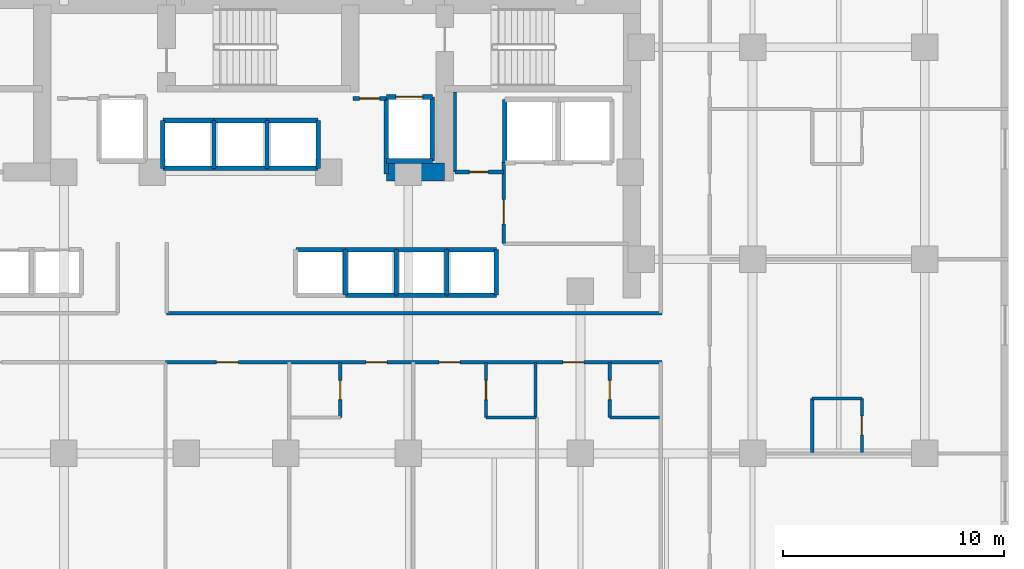
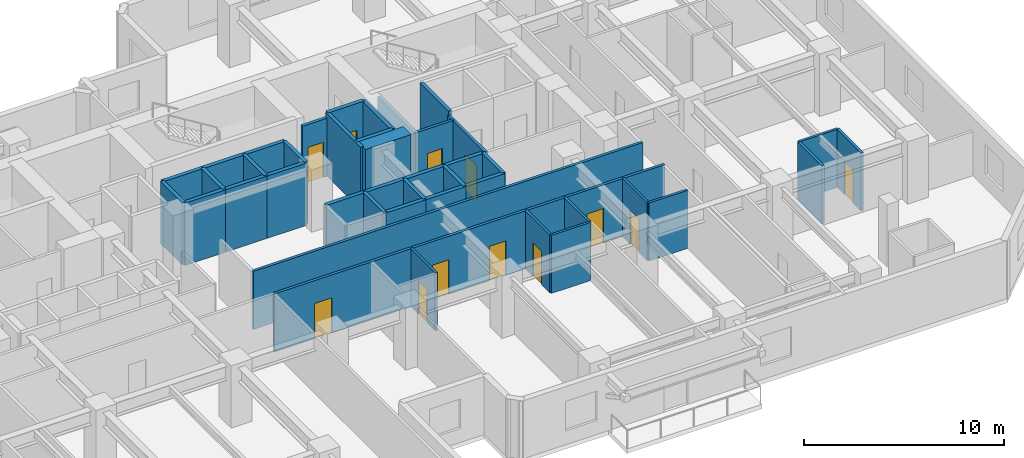
# One storey, part 8 of 12: 42 walls, 12 doors, 12 openings.
"""IFC4 building model written with IfcOpenShell, lengths in metres."""

from ifc_helpers import new_model, si_unit, direction, frame, frame_2d, origin, place, context, subcontext, project, spatial, rectangle, extrude, material, layer, layer_set, type_object, element, fill, save


model = new_model("IFC4")

# Units and contexts
model_context = context("Model", 3, precision=1e-05, world=origin(), true_north=direction((0.0, 1.0)))
body_context = subcontext(model_context, "Body", "Model", "MODEL_VIEW")
ifc_project = project(units=[si_unit("LENGTHUNIT", "METRE"), si_unit("AREAUNIT", "SQUARE_METRE"), si_unit("VOLUMEUNIT", "CUBIC_METRE"), si_unit("PLANEANGLEUNIT", "RADIAN"), si_unit("MASSUNIT", "GRAM", prefix="KILO")], contexts=[model_context])

# Site, building, storey
site_placement = place(None, origin())
site = spatial("IfcSite", under=ifc_project, at=site_placement, CompositionType="ELEMENT")
building_placement = place(site_placement, origin())
building = spatial("IfcBuilding", under=site, at=building_placement, Name="Kestravale Grand Hotel", CompositionType="ELEMENT")
storey_placement = place(building_placement, frame((0.0, 0.0, 118.39990234375)))
storey = spatial("IfcBuildingStorey", under=building, at=storey_placement, Name="L29", CompositionType="ELEMENT", Elevation=118.39990234375)

# Wall
ifc_material_1 = material(Name="Concrete f'c 60 MPa", Category="concrete")
ifc_layer_1 = layer(ifc_material_1, 0.800048828125)
ifc_layer_set_1 = layer_set([ifc_layer_1], Name="EW-CORE-800")
wall_type_1 = type_object("IfcWallType", Name="EW-CORE-800", PredefinedType="SHEAR", material=ifc_layer_set_1)
wall_1_placement = place(storey_placement, frame((45.81005859375, 32.75, 0.0), z_axis=(0.0, 0.0, 1.0), x_axis=(1.0, 0.0, 0.0)))
element("IfcWall", 1, at=wall_1_placement, inside=storey, type_object=wall_type_1, Name="L29 core shear wall S2", PredefinedType="SHEAR", context=body_context, shape_type="SweptSolid", body=[
    extrude(rectangle(XDim=2.639892578125, YDim=0.800048828125, at=frame_2d((1.31982421875, 0.0))), origin(), (0.0, 0.0, 1.0), 3.800048828125),
])

# Wall, opening, door
ifc_material_2 = material(Name="Acoustic fire-rated gypsum board partition", Category="other")
ifc_layer_2 = layer(ifc_material_2, 0.159912109375)
ifc_layer_set_2 = layer_set([ifc_layer_2], Name="IW-CORR-160")
wall_type_2 = type_object("IfcWallType", Name="IW-CORR-160", PredefinedType="PARTITIONING", material=ifc_layer_set_2)
wall_2_placement = place(storey_placement, frame((51.1201171875, 29.5, 0.0), z_axis=(0.0, 0.0, 1.0), x_axis=(0.0, 1.0, 0.0)))
wall_2 = element("IfcWall", 2, at=wall_2_placement, inside=storey, type_object=wall_type_2, Name="W-L29-SVCLOB-W", PredefinedType="PARTITIONING", context=body_context, shape_type="SweptSolid", body=[
    extrude(rectangle(XDim=3.699951171875, YDim=0.159912109375, at=frame_2d((1.85009765625, 0.0))), origin(), (0.0, 0.0, 1.0), 3.5400390625),
])
opening_1_placement = place(wall_2_placement, frame((0.89990234375, 0.0, 0.0)))
opening_1 = element("IfcOpeningElement", 3, at=opening_1_placement, cuts=wall_2, Name="Opening D-CORR-1100", PredefinedType="OPENING", context=body_context, shape_type="SweptSolid", body=[
    extrude(rectangle(XDim=1.10009765625, YDim=2.14990234375, at=frame_2d((0.550048828125, 1.074951171875))), frame((0.0, 0.08984375, 0.0), z_axis=(0.0, -1.0, 0.0), x_axis=(1.0, 0.0, 0.0)), (0.0, 0.0, 1.0), 0.179931640625),
])
ifc_material_3 = material(Name="Single-leaf service vestibule fire door", Category="steel")
door_type_1 = type_object("IfcDoorType", Name="D-CORR-1100", OperationType="NOTDEFINED", PredefinedType="DOOR", material=ifc_material_3)
door_1_placement = place(opening_1_placement, origin())
door_1 = element("IfcDoor", 4, at=door_1_placement, inside=storey, type_object=door_type_1, Name="L29 service lift lobby door", OperationType="SINGLE_SWING_LEFT", OverallHeight=2.14990234375, OverallWidth=1.10009765625, PredefinedType="DOOR", context=body_context, shape_type="SweptSolid", body=[
    extrude(rectangle(XDim=1.10009765625, YDim=2.14990234375, at=frame_2d((0.550048828125, 1.074951171875))), frame((0.0, 0.02490234375, 0.0), z_axis=(0.0, -1.0, 0.0), x_axis=(1.0, 0.0, 0.0)), (0.0, 0.0, 1.0), 0.050048828125),
])
fill(opening_1, door_1)

wall_3_placement = place(storey_placement, frame((48.919921875, 32.75, 0.0), z_axis=(0.0, 0.0, 1.0), x_axis=(1.0, 0.0, 0.0)))
wall_3 = element("IfcWall", 5, at=wall_3_placement, inside=storey, type_object=wall_type_2, Name="W-L29-CES", PredefinedType="PARTITIONING", context=body_context, shape_type="SweptSolid", body=[
    extrude(rectangle(XDim=2.2001953125, YDim=0.159912109375, at=frame_2d((1.10009765625, 0.0))), origin(), (0.0, 0.0, 1.0), 3.5400390625),
])
opening_2_placement = place(wall_3_placement, frame((0.64990234375, 0.0, 0.0)))
opening_2 = element("IfcOpeningElement", 6, at=opening_2_placement, cuts=wall_3, Name="Opening D-SH-860", PredefinedType="OPENING", context=body_context, shape_type="SweptSolid", body=[
    extrude(rectangle(XDim=0.860107421875, YDim=2.050048828125, at=frame_2d((0.43017578125, 1.02490234375))), frame((0.0, 0.08984375, 0.0), z_axis=(0.0, -1.0, 0.0), x_axis=(1.0, 0.0, 0.0)), (0.0, 0.0, 1.0), 0.179931640625),
])
ifc_material_4 = material(Name="Galvanised 90-minute riser fire door", Category="steel")
door_type_2 = type_object("IfcDoorType", Name="D-SH-860", OperationType="NOTDEFINED", PredefinedType="DOOR", material=ifc_material_4)
door_2_placement = place(opening_2_placement, origin())
door_2 = element("IfcDoor", 7, at=door_2_placement, inside=storey, type_object=door_type_2, Name="L29 CSTO1 door", OperationType="SINGLE_SWING_RIGHT", OverallHeight=2.050048828125, OverallWidth=0.860107421875, PredefinedType="DOOR", context=body_context, shape_type="SweptSolid", body=[
    extrude(rectangle(XDim=0.860107421875, YDim=2.050048828125, at=frame_2d((0.43017578125, 1.02490234375))), frame((0.0, 0.02490234375, 0.0), z_axis=(0.0, -1.0, 0.0), x_axis=(1.0, 0.0, 0.0)), (0.0, 0.0, 1.0), 0.050048828125),
])
fill(opening_2, door_2)

# Wall
wall_4_placement = place(storey_placement, frame((35.85009765625, 26.360107421875, 0.0), z_axis=(0.0, 0.0, 1.0), x_axis=(1.0, 0.0, 0.0)))
element("IfcWall", 8, at=wall_4_placement, inside=storey, type_object=wall_type_2, Name="W-L29-CE-N", PredefinedType="PARTITIONING", context=body_context, shape_type="SweptSolid", body=[
    extrude(rectangle(XDim=22.449951171875, YDim=0.159912109375, at=frame_2d((11.22509765625, 0.0))), origin(), (0.0, 0.0, 1.0), 3.5400390625),
])

# Wall, openings, doors
wall_5_placement = place(storey_placement, frame((35.800048828125, 24.139892578125, 0.0), z_axis=(0.0, 0.0, 1.0), x_axis=(1.0, 0.0, 0.0)))
wall_5 = element("IfcWall", 9, at=wall_5_placement, inside=storey, type_object=wall_type_2, Name="W-L29-CE-S", PredefinedType="PARTITIONING", context=body_context, shape_type="SweptSolid", body=[
    extrude(rectangle(XDim=22.5, YDim=0.159912109375, at=frame_2d((11.25, 0.0))), origin(), (0.0, 0.0, 1.0), 3.5400390625),
])
opening_3_placement = place(wall_5_placement, frame((2.304931640625, 0.0, 0.0)))
opening_3 = element("IfcOpeningElement", 10, at=opening_3_placement, cuts=wall_5, Name="Opening D-GUEST-1000", PredefinedType="OPENING", context=body_context, shape_type="SweptSolid", body=[
    extrude(rectangle(XDim=1.0, YDim=2.14990234375, at=frame_2d((0.5, 1.074951171875))), frame((0.0, 0.08984375, 0.0), z_axis=(0.0, -1.0, 0.0), x_axis=(1.0, 0.0, 0.0)), (0.0, 0.0, 1.0), 0.179931640625),
])
opening_4_placement = place(wall_5_placement, frame((9.094970703125, 0.0, 0.0)))
opening_4 = element("IfcOpeningElement", 11, at=opening_4_placement, cuts=wall_5, Name="Opening D-GUEST-950", PredefinedType="OPENING", context=body_context, shape_type="SweptSolid", body=[
    extrude(rectangle(XDim=0.949951171875, YDim=2.10009765625, at=frame_2d((0.47509765625, 1.050048828125))), frame((0.0, 0.08984375, 0.0), z_axis=(0.0, -1.0, 0.0), x_axis=(1.0, 0.0, 0.0)), (0.0, 0.0, 1.0), 0.179931640625),
])
opening_5_placement = place(wall_5_placement, frame((12.39501953125, 0.0, 0.0)))
opening_5 = element("IfcOpeningElement", 12, at=opening_5_placement, cuts=wall_5, Name="Opening D-GUEST-950", PredefinedType="OPENING", context=body_context, shape_type="SweptSolid", body=[
    extrude(rectangle(XDim=0.949951171875, YDim=2.10009765625, at=frame_2d((0.47509765625, 1.050048828125))), frame((0.0, 0.08984375, 0.0), z_axis=(0.0, -1.0, 0.0), x_axis=(1.0, 0.0, 0.0)), (0.0, 0.0, 1.0), 0.179931640625),
])
opening_6_placement = place(wall_5_placement, frame((18.0048828125, 0.0, 0.0)))
opening_6 = element("IfcOpeningElement", 13, at=opening_6_placement, cuts=wall_5, Name="Opening D-GUEST-950", PredefinedType="OPENING", context=body_context, shape_type="SweptSolid", body=[
    extrude(rectangle(XDim=0.949951171875, YDim=2.10009765625, at=frame_2d((0.47509765625, 1.050048828125))), frame((0.0, 0.08984375, 0.0), z_axis=(0.0, -1.0, 0.0), x_axis=(1.0, 0.0, 0.0)), (0.0, 0.0, 1.0), 0.179931640625),
])
ifc_material_5 = material(Name="Accessible walnut veneer hotel entrance fire door", Category="wood")
door_type_3 = type_object("IfcDoorType", Name="D-GUEST-1000", OperationType="NOTDEFINED", PredefinedType="DOOR", material=ifc_material_5)
door_3_placement = place(opening_3_placement, origin())
door_3 = element("IfcDoor", 14, at=door_3_placement, inside=storey, type_object=door_type_3, Name="D-L29-AME", OperationType="SINGLE_SWING_RIGHT", OverallHeight=2.14990234375, OverallWidth=1.0, PredefinedType="DOOR", context=body_context, shape_type="SweptSolid", body=[
    extrude(rectangle(XDim=1.0, YDim=2.14990234375, at=frame_2d((0.5, 1.074951171875))), frame((0.0, 0.02490234375, 0.0), z_axis=(0.0, -1.0, 0.0), x_axis=(1.0, 0.0, 0.0)), (0.0, 0.0, 1.0), 0.050048828125),
])
fill(opening_3, door_3)
ifc_material_6 = material(Name="Walnut veneer hotel guestroom entrance fire door", Category="wood")
door_type_4 = type_object("IfcDoorType", Name="D-GUEST-950", OperationType="NOTDEFINED", PredefinedType="DOOR", material=ifc_material_6)
door_4_placement = place(opening_4_placement, origin())
door_4 = element("IfcDoor", 15, at=door_4_placement, inside=storey, type_object=door_type_4, Name="D-L29-U01-ENT", OperationType="SINGLE_SWING_RIGHT", OverallHeight=2.10009765625, OverallWidth=0.949951171875, PredefinedType="DOOR", context=body_context, shape_type="SweptSolid", body=[
    extrude(rectangle(XDim=0.949951171875, YDim=2.10009765625, at=frame_2d((0.47509765625, 1.050048828125))), frame((0.0, 0.02490234375, 0.0), z_axis=(0.0, -1.0, 0.0), x_axis=(1.0, 0.0, 0.0)), (0.0, 0.0, 1.0), 0.050048828125),
])
fill(opening_4, door_4)
door_5_placement = place(opening_5_placement, origin())
door_5 = element("IfcDoor", 16, at=door_5_placement, inside=storey, type_object=door_type_4, Name="D-L29-U02-ENT", OperationType="SINGLE_SWING_RIGHT", OverallHeight=2.10009765625, OverallWidth=0.949951171875, PredefinedType="DOOR", context=body_context, shape_type="SweptSolid", body=[
    extrude(rectangle(XDim=0.949951171875, YDim=2.10009765625, at=frame_2d((0.47509765625, 1.050048828125))), frame((0.0, 0.02490234375, 0.0), z_axis=(0.0, -1.0, 0.0), x_axis=(1.0, 0.0, 0.0)), (0.0, 0.0, 1.0), 0.050048828125),
])
fill(opening_5, door_5)
door_6_placement = place(opening_6_placement, origin())
door_6 = element("IfcDoor", 17, at=door_6_placement, inside=storey, type_object=door_type_4, Name="D-L29-U03-ENT", OperationType="SINGLE_SWING_RIGHT", OverallHeight=2.10009765625, OverallWidth=0.949951171875, PredefinedType="DOOR", context=body_context, shape_type="SweptSolid", body=[
    extrude(rectangle(XDim=0.949951171875, YDim=2.10009765625, at=frame_2d((0.47509765625, 1.050048828125))), frame((0.0, 0.02490234375, 0.0), z_axis=(0.0, -1.0, 0.0), x_axis=(1.0, 0.0, 0.0)), (0.0, 0.0, 1.0), 0.050048828125),
])
fill(opening_6, door_6)

# Wall, opening, door
ifc_material_7 = material(Name="Fire-rated gypsum board on steel studs with mineral wool", Category="steel")
ifc_layer_3 = layer(ifc_material_7, 0.179931640625)
ifc_layer_set_3 = layer_set([ifc_layer_3], Name="IW-FSAE-180")
wall_type_3 = type_object("IfcWallType", Name="IW-FSAE-180", PredefinedType="PARTITIONING", material=ifc_layer_set_3)
wall_6_placement = place(storey_placement, frame((44.300048828125, 36.080078125, 0.0), z_axis=(0.0, 0.0, 1.0), x_axis=(1.0, 0.0, 0.0)))
wall_6 = element("IfcWall", 18, at=wall_6_placement, inside=storey, type_object=wall_type_3, Name="L29 FSAE Lobby 2 smoke barrier", PredefinedType="PARTITIONING", context=body_context, shape_type="SweptSolid", body=[
    extrude(rectangle(XDim=1.5, YDim=0.179931640625, at=frame_2d((0.75, 0.0))), origin(), (0.0, 0.0, 1.0), 3.5400390625),
])
opening_7_placement = place(wall_6_placement, frame((0.300048828125, 0.0, 0.0)))
opening_7 = element("IfcOpeningElement", 19, at=opening_7_placement, cuts=wall_6, Name="Opening D-FSAE-1000", PredefinedType="OPENING", context=body_context, shape_type="SweptSolid", body=[
    extrude(rectangle(XDim=0.89990234375, YDim=2.14990234375, at=frame_2d((0.449951171875, 1.074951171875))), frame((0.0, 0.099853515625, 0.0), z_axis=(0.0, -1.0, 0.0), x_axis=(1.0, 0.0, 0.0)), (0.0, 0.0, 1.0), 0.199951171875),
])
ifc_material_8 = material(Name="Smoke-gasketed FSAE lobby fire door", Category="steel")
door_type_5 = type_object("IfcDoorType", Name="D-FSAE-1000", OperationType="NOTDEFINED", PredefinedType="DOOR", material=ifc_material_8)
door_7_placement = place(opening_7_placement, origin())
door_7 = element("IfcDoor", 20, at=door_7_placement, inside=storey, type_object=door_type_5, Name="L29 FSAE Lobby 2 fire door", OperationType="SINGLE_SWING_LEFT", OverallHeight=2.14990234375, OverallWidth=0.89990234375, PredefinedType="DOOR", context=body_context, shape_type="SweptSolid", body=[
    extrude(rectangle(XDim=0.89990234375, YDim=2.14990234375, at=frame_2d((0.449951171875, 1.074951171875))), frame((0.0, 0.02490234375, 0.0), z_axis=(0.0, -1.0, 0.0), x_axis=(1.0, 0.0, 0.0)), (0.0, 0.0, 1.0), 0.050048828125),
])
fill(opening_7, door_7)

ifc_material_9 = material(Name="Moisture-resistant tile-backer plumbing chase wall", Category="other")
ifc_layer_4 = layer(ifc_material_9, 0.139892578125)
ifc_layer_set_4 = layer_set([ifc_layer_4], Name="IW-PLB-140")
wall_type_4 = type_object("IfcWallType", Name="IW-PLB-140", PredefinedType="PLUMBINGWALL", material=ifc_layer_set_4)
wall_7_placement = place(storey_placement, frame((43.719970703125, 21.6298828125, 0.0), z_axis=(0.0, 0.0, 1.0), x_axis=(0.0, 1.0, 0.0)))
wall_7 = element("IfcWall", 21, at=wall_7_placement, inside=storey, type_object=wall_type_4, Name="W-L29-U01-BE", PredefinedType="PLUMBINGWALL", context=body_context, shape_type="SweptSolid", body=[
    extrude(rectangle(XDim=2.490234375, YDim=0.139892578125, at=frame_2d((1.2451171875, 0.0))), origin(), (0.0, 0.0, 1.0), 3.5400390625),
])
opening_8_placement = place(wall_7_placement, frame((0.804931640625, 0.0, 0.0)))
opening_8 = element("IfcOpeningElement", 22, at=opening_8_placement, cuts=wall_7, Name="Opening D-BATH-880", PredefinedType="OPENING", context=body_context, shape_type="SweptSolid", body=[
    extrude(rectangle(XDim=0.8798828125, YDim=2.050048828125, at=frame_2d((0.43994140625, 1.02490234375))), frame((0.0, 0.079833984375, 0.0), z_axis=(0.0, -1.0, 0.0), x_axis=(1.0, 0.0, 0.0)), (0.0, 0.0, 1.0), 0.159912109375),
])
ifc_material_10 = material(Name="Moisture-sealed walnut en-suite bathroom door", Category="wood")
door_type_6 = type_object("IfcDoorType", Name="D-BATH-880", OperationType="NOTDEFINED", PredefinedType="DOOR", material=ifc_material_10)
door_8_placement = place(opening_8_placement, origin())
door_8 = element("IfcDoor", 23, at=door_8_placement, inside=storey, type_object=door_type_6, Name="D-L29-U01-BATH", OperationType="SINGLE_SWING_LEFT", OverallHeight=2.050048828125, OverallWidth=0.8798828125, PredefinedType="DOOR", context=body_context, shape_type="SweptSolid", body=[
    extrude(rectangle(XDim=0.8798828125, YDim=2.050048828125, at=frame_2d((0.43994140625, 1.02490234375))), frame((0.0, 0.02490234375, 0.0), z_axis=(0.0, -1.0, 0.0), x_axis=(1.0, 0.0, 0.0)), (0.0, 0.0, 1.0), 0.050048828125),
])
fill(opening_8, door_8)

wall_8_placement = place(storey_placement, frame((50.320068359375, 21.6298828125, 0.0), z_axis=(0.0, 0.0, 1.0), x_axis=(0.0, 1.0, 0.0)))
wall_8 = element("IfcWall", 24, at=wall_8_placement, inside=storey, type_object=wall_type_4, Name="W-L29-U02-BW", PredefinedType="PLUMBINGWALL", context=body_context, shape_type="SweptSolid", body=[
    extrude(rectangle(XDim=2.490234375, YDim=0.139892578125, at=frame_2d((1.2451171875, 0.0))), origin(), (0.0, 0.0, 1.0), 3.5400390625),
])
opening_9_placement = place(wall_8_placement, frame((0.804931640625, 0.0, 0.0)))
opening_9 = element("IfcOpeningElement", 25, at=opening_9_placement, cuts=wall_8, Name="Opening D-BATH-880", PredefinedType="OPENING", context=body_context, shape_type="SweptSolid", body=[
    extrude(rectangle(XDim=0.8798828125, YDim=2.050048828125, at=frame_2d((0.43994140625, 1.02490234375))), frame((0.0, 0.079833984375, 0.0), z_axis=(0.0, -1.0, 0.0), x_axis=(1.0, 0.0, 0.0)), (0.0, 0.0, 1.0), 0.159912109375),
])
door_9_placement = place(opening_9_placement, origin())
door_9 = element("IfcDoor", 26, at=door_9_placement, inside=storey, type_object=door_type_6, Name="D-L29-U02-BATH", OperationType="SINGLE_SWING_LEFT", OverallHeight=2.050048828125, OverallWidth=0.8798828125, PredefinedType="DOOR", context=body_context, shape_type="SweptSolid", body=[
    extrude(rectangle(XDim=0.8798828125, YDim=2.050048828125, at=frame_2d((0.43994140625, 1.02490234375))), frame((0.0, 0.02490234375, 0.0), z_axis=(0.0, -1.0, 0.0), x_axis=(1.0, 0.0, 0.0)), (0.0, 0.0, 1.0), 0.050048828125),
])
fill(opening_9, door_9)

# Walls
wall_9_placement = place(storey_placement, frame((52.570068359375, 21.6298828125, 0.0), z_axis=(0.0, 0.0, 1.0), x_axis=(0.0, 1.0, 0.0)))
element("IfcWall", 27, at=wall_9_placement, inside=storey, type_object=wall_type_4, Name="W-L29-U02-BE", PredefinedType="PLUMBINGWALL", context=body_context, shape_type="SweptSolid", body=[
    extrude(rectangle(XDim=2.490234375, YDim=0.139892578125, at=frame_2d((1.2451171875, 0.0))), origin(), (0.0, 0.0, 1.0), 3.5400390625),
])
wall_10_placement = place(storey_placement, frame((50.320068359375, 21.6298828125, 0.0), z_axis=(0.0, 0.0, 1.0), x_axis=(1.0, 0.0, 0.0)))
element("IfcWall", 28, at=wall_10_placement, inside=storey, type_object=wall_type_4, Name="W-L29-U02-BS", PredefinedType="PLUMBINGWALL", context=body_context, shape_type="SweptSolid", body=[
    extrude(rectangle(XDim=2.25, YDim=0.139892578125, at=frame_2d((1.125, 0.0))), origin(), (0.0, 0.0, 1.0), 3.5400390625),
])

# Wall, opening, door
wall_11_placement = place(storey_placement, frame((55.929931640625, 21.6298828125, 0.0), z_axis=(0.0, 0.0, 1.0), x_axis=(0.0, 1.0, 0.0)))
wall_11 = element("IfcWall", 29, at=wall_11_placement, inside=storey, type_object=wall_type_4, Name="W-L29-U03-BW", PredefinedType="PLUMBINGWALL", context=body_context, shape_type="SweptSolid", body=[
    extrude(rectangle(XDim=2.490234375, YDim=0.139892578125, at=frame_2d((1.2451171875, 0.0))), origin(), (0.0, 0.0, 1.0), 3.5400390625),
])
opening_10_placement = place(wall_11_placement, frame((0.804931640625, 0.0, 0.0)))
opening_10 = element("IfcOpeningElement", 30, at=opening_10_placement, cuts=wall_11, Name="Opening D-BATH-880", PredefinedType="OPENING", context=body_context, shape_type="SweptSolid", body=[
    extrude(rectangle(XDim=0.8798828125, YDim=2.050048828125, at=frame_2d((0.43994140625, 1.02490234375))), frame((0.0, 0.079833984375, 0.0), z_axis=(0.0, -1.0, 0.0), x_axis=(1.0, 0.0, 0.0)), (0.0, 0.0, 1.0), 0.159912109375),
])
door_10_placement = place(opening_10_placement, origin())
door_10 = element("IfcDoor", 31, at=door_10_placement, inside=storey, type_object=door_type_6, Name="D-L29-U03-BATH", OperationType="SINGLE_SWING_LEFT", OverallHeight=2.050048828125, OverallWidth=0.8798828125, PredefinedType="DOOR", context=body_context, shape_type="SweptSolid", body=[
    extrude(rectangle(XDim=0.8798828125, YDim=2.050048828125, at=frame_2d((0.43994140625, 1.02490234375))), frame((0.0, 0.02490234375, 0.0), z_axis=(0.0, -1.0, 0.0), x_axis=(1.0, 0.0, 0.0)), (0.0, 0.0, 1.0), 0.050048828125),
])
fill(opening_10, door_10)

# Walls
wall_12_placement = place(storey_placement, frame((55.929931640625, 21.6298828125, 0.0), z_axis=(0.0, 0.0, 1.0), x_axis=(1.0, 0.0, 0.0)))
element("IfcWall", 32, at=wall_12_placement, inside=storey, type_object=wall_type_4, Name="W-L29-U03-BS", PredefinedType="PLUMBINGWALL", context=body_context, shape_type="SweptSolid", body=[
    extrude(rectangle(XDim=2.25, YDim=0.139892578125, at=frame_2d((1.125, 0.0))), origin(), (0.0, 0.0, 1.0), 3.5400390625),
])
wall_13_placement = place(storey_placement, frame((65.10009765625, 20.0400390625, 0.0), z_axis=(0.0, 0.0, 1.0), x_axis=(0.0, 1.0, 0.0)))
element("IfcWall", 33, at=wall_13_placement, inside=storey, type_object=wall_type_4, Name="W-L29-U08-BW", PredefinedType="PLUMBINGWALL", context=body_context, shape_type="SweptSolid", body=[
    extrude(rectangle(XDim=2.449951171875, YDim=0.139892578125, at=frame_2d((1.22509765625, 0.0))), origin(), (0.0, 0.0, 1.0), 3.5400390625),
])

# Wall, opening, door
wall_14_placement = place(storey_placement, frame((67.35009765625, 20.0400390625, 0.0), z_axis=(0.0, 0.0, 1.0), x_axis=(0.0, 1.0, 0.0)))
wall_14 = element("IfcWall", 34, at=wall_14_placement, inside=storey, type_object=wall_type_4, Name="W-L29-U08-BE", PredefinedType="PLUMBINGWALL", context=body_context, shape_type="SweptSolid", body=[
    extrude(rectangle(XDim=2.449951171875, YDim=0.139892578125, at=frame_2d((1.22509765625, 0.0))), origin(), (0.0, 0.0, 1.0), 3.5400390625),
])
opening_11_placement = place(wall_14_placement, frame((0.784912109375, 0.0, 0.0)))
opening_11 = element("IfcOpeningElement", 35, at=opening_11_placement, cuts=wall_14, Name="Opening D-BATH-880", PredefinedType="OPENING", context=body_context, shape_type="SweptSolid", body=[
    extrude(rectangle(XDim=0.8798828125, YDim=2.050048828125, at=frame_2d((0.43994140625, 1.02490234375))), frame((0.0, 0.079833984375, 0.0), z_axis=(0.0, -1.0, 0.0), x_axis=(1.0, 0.0, 0.0)), (0.0, 0.0, 1.0), 0.159912109375),
])
door_11_placement = place(opening_11_placement, origin())
door_11 = element("IfcDoor", 36, at=door_11_placement, inside=storey, type_object=door_type_6, Name="D-L29-U08-BATH", OperationType="SINGLE_SWING_RIGHT", OverallHeight=2.050048828125, OverallWidth=0.8798828125, PredefinedType="DOOR", context=body_context, shape_type="SweptSolid", body=[
    extrude(rectangle(XDim=0.8798828125, YDim=2.050048828125, at=frame_2d((0.43994140625, 1.02490234375))), frame((0.0, 0.02490234375, 0.0), z_axis=(0.0, -1.0, 0.0), x_axis=(1.0, 0.0, 0.0)), (0.0, 0.0, 1.0), 0.050048828125),
])
fill(opening_11, door_11)

# Walls
wall_15_placement = place(storey_placement, frame((65.10009765625, 22.489990234375, 0.0), z_axis=(0.0, 0.0, 1.0), x_axis=(1.0, 0.0, 0.0)))
element("IfcWall", 37, at=wall_15_placement, inside=storey, type_object=wall_type_4, Name="W-L29-U08-BN", PredefinedType="PLUMBINGWALL", context=body_context, shape_type="SweptSolid", body=[
    extrude(rectangle(XDim=2.25, YDim=0.139892578125, at=frame_2d((1.125, 0.0))), origin(), (0.0, 0.0, 1.0), 3.5400390625),
])
ifc_material_11 = material(Name="Concrete f'c 45 MPa", Category="concrete")
ifc_layer_5 = layer(ifc_material_11, 0.199951171875)
ifc_layer_set_5 = layer_set([ifc_layer_5], Name="IW-SHAFT-200")
wall_type_5 = type_object("IfcWallType", Name="IW-SHAFT-200", PredefinedType="SHEAR", material=ifc_layer_set_5)
for number, where, z_axis, x_axis, name in (
    (38, (43.949951171875, 27.169921875, 0.0), (0.0, 0.0, 1.0), (0.0, 1.0, 0.0), "L29 PL-M2 west shaft wall"),
    (39, (46.25, 27.169921875, 0.0), (0.0, 0.0, 1.0), (0.0, 1.0, 0.0), "L29 PL-M3 west shaft wall"),
    (40, (48.550048828125, 27.169921875, 0.0), (0.0, 0.0, 1.0), (0.0, 1.0, 0.0), "L29 PL-M4 west shaft wall"),
    (41, (50.794921875, 27.169921875, 0.0), (0.0, 0.0, 1.0), (0.0, 1.0, 0.0), "L29 PL-M4 east shaft wall"),
):
    element("IfcWall", number, at=place(storey_placement, frame(where, z_axis=z_axis, x_axis=x_axis)), inside=storey, type_object=wall_type_5, Name=name, PredefinedType="SHEAR", context=body_context, shape_type="SweptSolid", body=[
        extrude(rectangle(XDim=2.06005859375, YDim=0.199951171875, at=frame_2d((1.030029296875, 0.0))), origin(), (0.0, 0.0, 1.0), 3.800048828125),
    ])
for number, where, z_axis, x_axis, name in (
    (42, (35.679931640625, 32.919921875, 0.0), (0.0, 0.0, 1.0), (0.0, 1.0, 0.0), "L29 PL-X1 west shaft wall"),
    (43, (38.0, 32.919921875, 0.0), (0.0, 0.0, 1.0), (0.0, 1.0, 0.0), "L29 PL-X2 west shaft wall"),
    (44, (40.39990234375, 32.919921875, 0.0), (0.0, 0.0, 1.0), (0.0, 1.0, 0.0), "L29 PL-X3 west shaft wall"),
    (45, (42.719970703125, 32.919921875, 0.0), (0.0, 0.0, 1.0), (0.0, 1.0, 0.0), "L29 PL-X3 east shaft wall"),
):
    element("IfcWall", number, at=place(storey_placement, frame(where, z_axis=z_axis, x_axis=x_axis)), inside=storey, type_object=wall_type_5, Name=name, PredefinedType="SHEAR", context=body_context, shape_type="SweptSolid", body=[
        extrude(rectangle(XDim=2.16015625, YDim=0.199951171875, at=frame_2d((1.080078125, 0.0))), origin(), (0.0, 0.0, 1.0), 3.800048828125),
    ])
wall_16_placement = place(storey_placement, frame((51.179931640625, 33.169921875, 0.0), z_axis=(0.0, 0.0, 1.0), x_axis=(0.0, 1.0, 0.0)))
element("IfcWall", 46, at=wall_16_placement, inside=storey, type_object=wall_type_5, Name="L29 SL-1 west shaft wall", PredefinedType="SHEAR", context=body_context, shape_type="SweptSolid", body=[
    extrude(rectangle(XDim=2.860107421875, YDim=0.199951171875, at=frame_2d((1.43017578125, 0.0))), origin(), (0.0, 0.0, 1.0), 3.800048828125),
])
wall_17_placement = place(storey_placement, frame((45.804931640625, 32.64990234375, 0.0), z_axis=(0.0, 0.0, 1.0), x_axis=(0.0, 1.0, 0.0)))
element("IfcWall", 47, at=wall_17_placement, inside=storey, type_object=wall_type_5, Name="L29 FL-2 west shaft wall", PredefinedType="SHEAR", context=body_context, shape_type="SweptSolid", body=[
    extrude(rectangle(XDim=3.505126953125, YDim=0.199951171875, at=frame_2d((1.75244140625, 0.0))), origin(), (0.0, 0.0, 1.0), 3.800048828125),
])
wall_18_placement = place(storey_placement, frame((47.89501953125, 33.2451171875, 0.0), z_axis=(0.0, 0.0, 1.0), x_axis=(0.0, 1.0, 0.0)))
element("IfcWall", 48, at=wall_18_placement, inside=storey, type_object=wall_type_5, Name="L29 FL-2 east shaft wall", PredefinedType="SHEAR", context=body_context, shape_type="SweptSolid", body=[
    extrude(rectangle(XDim=2.909912109375, YDim=0.199951171875, at=frame_2d((1.455078125, 0.0))), origin(), (0.0, 0.0, 1.0), 3.800048828125),
])
ifc_material_12 = material(Name="Concrete f'c 45 MPa", Category="concrete")
ifc_layer_6 = layer(ifc_material_12, 0.219970703125)
ifc_layer_set_6 = layer_set([ifc_layer_6], Name="IW-SHAFT-220")
wall_type_6 = type_object("IfcWallType", Name="IW-SHAFT-220", PredefinedType="SHEAR", material=ifc_layer_set_6)
wall_19_placement = place(storey_placement, frame((41.705078125, 29.22998046875, 0.0), z_axis=(0.0, 0.0, 1.0), x_axis=(1.0, 0.0, 0.0)))
element("IfcWall", 49, at=wall_19_placement, inside=storey, type_object=wall_type_6, Name="L29 PL-M1 north shaft wall", PredefinedType="SHEAR", context=body_context, shape_type="SweptSolid", body=[
    extrude(rectangle(XDim=2.244873046875, YDim=0.219970703125, at=frame_2d((1.12255859375, 0.0))), origin(), (0.0, 0.0, 1.0), 3.800048828125),
])
for number, where, z_axis, x_axis, name in (
    (50, (43.949951171875, 29.22998046875, 0.0), (0.0, 0.0, 1.0), (1.0, 0.0, 0.0), "L29 PL-M2 north shaft wall"),
    (51, (43.949951171875, 27.169921875, 0.0), (0.0, 0.0, 1.0), (1.0, 0.0, 0.0), "L29 PL-M2 south shaft wall"),
    (52, (46.25, 29.22998046875, 0.0), (0.0, 0.0, 1.0), (1.0, 0.0, 0.0), "L29 PL-M3 north shaft wall"),
    (53, (46.25, 27.169921875, 0.0), (0.0, 0.0, 1.0), (1.0, 0.0, 0.0), "L29 PL-M3 south shaft wall"),
):
    element("IfcWall", number, at=place(storey_placement, frame(where, z_axis=z_axis, x_axis=x_axis)), inside=storey, type_object=wall_type_6, Name=name, PredefinedType="SHEAR", context=body_context, shape_type="SweptSolid", body=[
        extrude(rectangle(XDim=2.300048828125, YDim=0.219970703125, at=frame_2d((1.14990234375, 0.0))), origin(), (0.0, 0.0, 1.0), 3.800048828125),
    ])
for number, where, z_axis, x_axis, name in (
    (54, (48.550048828125, 29.22998046875, 0.0), (0.0, 0.0, 1.0), (1.0, 0.0, 0.0), "L29 PL-M4 north shaft wall"),
    (55, (48.550048828125, 27.169921875, 0.0), (0.0, 0.0, 1.0), (1.0, 0.0, 0.0), "L29 PL-M4 south shaft wall"),
):
    element("IfcWall", number, at=place(storey_placement, frame(where, z_axis=z_axis, x_axis=x_axis)), inside=storey, type_object=wall_type_6, Name=name, PredefinedType="SHEAR", context=body_context, shape_type="SweptSolid", body=[
        extrude(rectangle(XDim=2.244873046875, YDim=0.219970703125, at=frame_2d((1.12255859375, 0.0))), origin(), (0.0, 0.0, 1.0), 3.800048828125),
    ])
for number, where, z_axis, x_axis, name in (
    (56, (35.679931640625, 35.080078125, 0.0), (0.0, 0.0, 1.0), (1.0, 0.0, 0.0), "L29 PL-X1 north shaft wall"),
    (57, (35.679931640625, 32.919921875, 0.0), (0.0, 0.0, 1.0), (1.0, 0.0, 0.0), "L29 PL-X1 south shaft wall"),
):
    element("IfcWall", number, at=place(storey_placement, frame(where, z_axis=z_axis, x_axis=x_axis)), inside=storey, type_object=wall_type_6, Name=name, PredefinedType="SHEAR", context=body_context, shape_type="SweptSolid", body=[
        extrude(rectangle(XDim=2.320068359375, YDim=0.219970703125, at=frame_2d((1.16015625, 0.0))), origin(), (0.0, 0.0, 1.0), 3.800048828125),
    ])
for number, where, z_axis, x_axis, name in (
    (58, (38.0, 35.080078125, 0.0), (0.0, 0.0, 1.0), (1.0, 0.0, 0.0), "L29 PL-X2 north shaft wall"),
    (59, (38.0, 32.919921875, 0.0), (0.0, 0.0, 1.0), (1.0, 0.0, 0.0), "L29 PL-X2 south shaft wall"),
):
    element("IfcWall", number, at=place(storey_placement, frame(where, z_axis=z_axis, x_axis=x_axis)), inside=storey, type_object=wall_type_6, Name=name, PredefinedType="SHEAR", context=body_context, shape_type="SweptSolid", body=[
        extrude(rectangle(XDim=2.39990234375, YDim=0.219970703125, at=frame_2d((1.199951171875, 0.0))), origin(), (0.0, 0.0, 1.0), 3.800048828125),
    ])
for number, where, z_axis, x_axis, name in (
    (60, (40.39990234375, 35.080078125, 0.0), (0.0, 0.0, 1.0), (1.0, 0.0, 0.0), "L29 PL-X3 north shaft wall"),
    (61, (40.39990234375, 32.919921875, 0.0), (0.0, 0.0, 1.0), (1.0, 0.0, 0.0), "L29 PL-X3 south shaft wall"),
):
    element("IfcWall", number, at=place(storey_placement, frame(where, z_axis=z_axis, x_axis=x_axis)), inside=storey, type_object=wall_type_6, Name=name, PredefinedType="SHEAR", context=body_context, shape_type="SweptSolid", body=[
        extrude(rectangle(XDim=2.320068359375, YDim=0.219970703125, at=frame_2d((1.16015625, 0.0))), origin(), (0.0, 0.0, 1.0), 3.800048828125),
    ])

# Wall, opening, door
wall_20_placement = place(storey_placement, frame((45.804931640625, 36.155029296875, 0.0), z_axis=(0.0, 0.0, 1.0), x_axis=(1.0, 0.0, 0.0)))
wall_20 = element("IfcWall", 62, at=wall_20_placement, inside=storey, type_object=wall_type_6, Name="L29 FL-2 north shaft wall", PredefinedType="SHEAR", context=body_context, shape_type="SweptSolid", body=[
    extrude(rectangle(XDim=2.090087890625, YDim=0.219970703125, at=frame_2d((1.044921875, 0.0))), origin(), (0.0, 0.0, 1.0), 3.800048828125),
])
opening_12_placement = place(wall_20_placement, frame((0.445068359375, 0.0, 0.0)))
opening_12 = element("IfcOpeningElement", 63, at=opening_12_placement, cuts=wall_20, Name="Opening LD-FSAE-1200", PredefinedType="OPENING", context=body_context, shape_type="SweptSolid", body=[
    extrude(rectangle(XDim=1.199951171875, YDim=2.14990234375, at=frame_2d((0.60009765625, 1.074951171875))), frame((0.0, 0.119873046875, 0.0), z_axis=(0.0, -1.0, 0.0), x_axis=(1.0, 0.0, 0.0)), (0.0, 0.0, 1.0), 0.239990234375),
])
ifc_material_13 = material(Name="Stainless fire-service sliding elevator landing door", Category="steel")
door_type_7 = type_object("IfcDoorType", Name="LD-FSAE-1200", OperationType="NOTDEFINED", PredefinedType="DOOR", material=ifc_material_13)
door_12_placement = place(opening_12_placement, origin())
door_12 = element("IfcDoor", 64, at=door_12_placement, inside=storey, type_object=door_type_7, Name="L29 FL-2 elevator landing sliding door", OperationType="DOUBLE_DOOR_SLIDING", OverallHeight=2.14990234375, OverallWidth=1.199951171875, PredefinedType="DOOR", context=body_context, shape_type="SweptSolid", body=[
    extrude(rectangle(XDim=1.199951171875, YDim=2.14990234375, at=frame_2d((0.60009765625, 1.074951171875))), frame((0.0, 0.02490234375, 0.0), z_axis=(0.0, -1.0, 0.0), x_axis=(1.0, 0.0, 0.0)), (0.0, 0.0, 1.0), 0.050048828125),
])
fill(opening_12, door_12)

# Walls
wall_21_placement = place(storey_placement, frame((45.804931640625, 33.2451171875, 0.0), z_axis=(0.0, 0.0, 1.0), x_axis=(1.0, 0.0, 0.0)))
element("IfcWall", 65, at=wall_21_placement, inside=storey, type_object=wall_type_6, Name="L29 FL-2 south shaft wall", PredefinedType="SHEAR", context=body_context, shape_type="SweptSolid", body=[
    extrude(rectangle(XDim=2.090087890625, YDim=0.219970703125, at=frame_2d((1.044921875, 0.0))), origin(), (0.0, 0.0, 1.0), 3.800048828125),
])
ifc_material_14 = material(Name="Double-stud STC 52 acoustic demising partition", Category="other")
ifc_layer_7 = layer(ifc_material_14, 0.14990234375)
ifc_layer_set_7 = layer_set([ifc_layer_7], Name="IW-UNIT-150")
wall_type_7 = type_object("IfcWallType", Name="IW-UNIT-150", PredefinedType="PARTITIONING", material=ifc_layer_set_7)
wall_22_placement = place(storey_placement, frame((48.919921875, 32.75, 0.0), z_axis=(0.0, 0.0, 1.0), x_axis=(0.0, 1.0, 0.0)))
element("IfcWall", 66, at=wall_22_placement, inside=storey, type_object=wall_type_7, Name="W-L29-CEW", PredefinedType="PARTITIONING", context=body_context, shape_type="SweptSolid", body=[
    extrude(rectangle(XDim=3.6201171875, YDim=0.14990234375, at=frame_2d((1.81005859375, 0.0))), origin(), (0.0, 0.0, 1.0), 3.5400390625),
])

save(model, "model.ifc")
